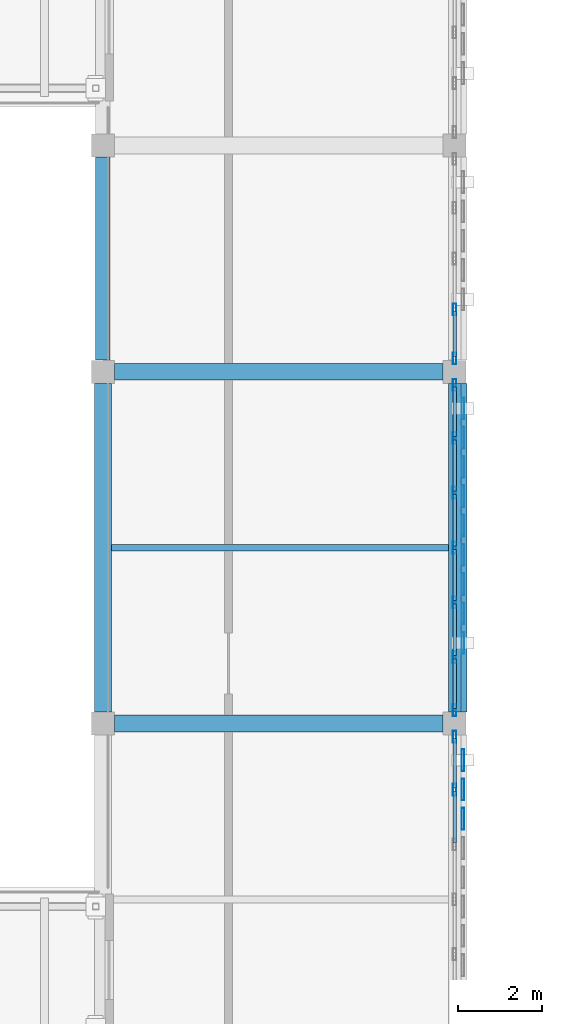
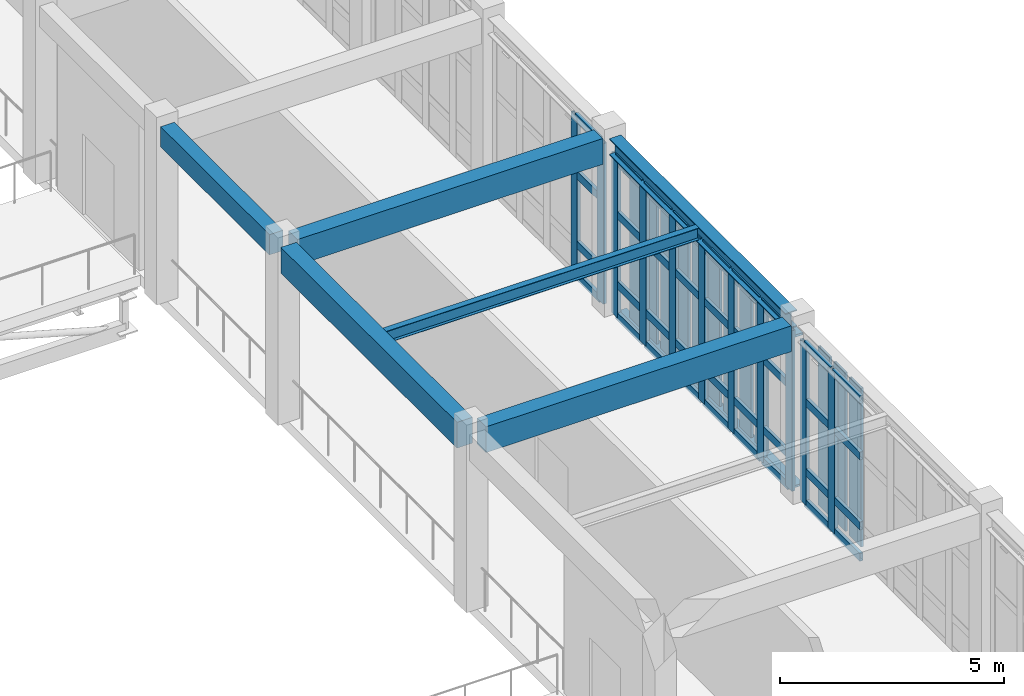
# One storey, part 34 of 93: 61 members, 6 beams, 3 elements without a shape of their own.
"""IFC4 building model written with IfcOpenShell, lengths in metres."""

from ifc_helpers import new_model, si_unit, direction, frame, origin, origin_2d, place, context, subcontext, project, spatial, rectangle, hollow_rectangle, i_section, extrude, material, layer, layer_set, material_profile, profile_set, type_object, element, aggregate, save


model = new_model("IFC4")

# Units and contexts
model_context = context("Model", 3, precision=1e-05, world=origin(), true_north=direction((0.0, 1.0)))
body_context = subcontext(model_context, "Body", "Model", "MODEL_VIEW")
ifc_project = project(units=[si_unit("LENGTHUNIT", "METRE"), si_unit("AREAUNIT", "SQUARE_METRE"), si_unit("VOLUMEUNIT", "CUBIC_METRE"), si_unit("PLANEANGLEUNIT", "RADIAN"), si_unit("MASSUNIT", "GRAM", prefix="KILO")], contexts=[model_context])

# Site, building, storey
site_placement = place(None, origin())
site = spatial("IfcSite", under=ifc_project, at=site_placement, CompositionType="ELEMENT")
building_placement = place(site_placement, origin())
building = spatial("IfcBuilding", under=site, at=building_placement, Name="Krzemoval Escarpment Law Courts", CompositionType="ELEMENT")
storey_placement = place(building_placement, frame((0.0, 0.0, 10.199951171875)))
storey = spatial("IfcBuildingStorey", under=building, at=storey_placement, Name="L02", CompositionType="ELEMENT", Elevation=10.199951171875)

# Beams
ifc_material_1 = material(Name="Concrete C40/50", Category="concrete")
ifc_material_profile_1 = material_profile(ifc_material_1, rectangle(XDim=0.35009765625, YDim=0.550048828125, at=origin_2d()), Name="RCB 350x550")
ifc_profile_set_1 = profile_set([ifc_material_profile_1], Name="Concrete C40/50")
beam_type_1 = type_object("IfcBeamType", Name="BM-RC-350x550", PredefinedType="BEAM", material=ifc_profile_set_1)
beam_1_placement = place(storey_placement, frame((33.60009765625, 74.675048828125, 4.545166015625), z_axis=(0.0, 1.0, 0.0), x_axis=(-1.0, 0.0, 0.0)))
element("IfcBeam", 1, at=beam_1_placement, inside=storey, type_object=beam_type_1, Name="Beam FG-L02-1899", PredefinedType="BEAM", context=body_context, shape_type="SweptSolid", body=[
    extrude(rectangle(XDim=0.35009765625, YDim=0.550048828125, at=origin_2d()), origin(), (0.0, 0.0, 1.0), 4.849853515625),
])
ifc_material_2 = material(Name="Concrete C40/50", Category="concrete")
ifc_material_profile_2 = material_profile(ifc_material_2, rectangle(XDim=0.39990234375, YDim=0.699951171875, at=origin_2d()), Name="RCB 400x700")
ifc_profile_set_2 = profile_set([ifc_material_profile_2], Name="Concrete C40/50")
beam_type_2 = type_object("IfcBeamType", Name="BM-RC-400x700", PredefinedType="BEAM", material=ifc_profile_set_2)
for number, where, z_axis, x_axis, name in (
    (2, (33.875, 66.0, 4.469970703125), (1.0, 0.0, 0.0), (0.0, 1.0, 0.0), "Beam FG-L02-1795"),
    (3, (33.875, 74.39990234375, 4.469970703125), (1.0, 0.0, 0.0), (0.0, 1.0, 0.0), "Beam FG-L02-1797"),
    (4, (33.60009765625, 66.27490234375, 4.469970703125), (0.0, 1.0, 0.0), (-1.0, 0.0, 0.0), "Beam FG-L02-1898"),
):
    element("IfcBeam", number, at=place(storey_placement, frame(where, z_axis=z_axis, x_axis=x_axis)), inside=storey, type_object=beam_type_2, Name=name, PredefinedType="BEAM", context=body_context, shape_type="SweptSolid", body=[
        extrude(rectangle(XDim=0.39990234375, YDim=0.699951171875, at=origin_2d()), origin(), (0.0, 0.0, 1.0), 7.85009765625),
    ])

# Curtain wall, members
ifc_material_3 = material(Name="Aluminium 6063-T6", Category="aluminium")
ifc_layer = layer(ifc_material_3, 0.280029296875)
ifc_layer_set = layer_set([ifc_layer], Name="Aluminium 6063-T6")
curtain_wall_type = type_object("IfcCurtainWallType", Name="CW-HALL-5100", PredefinedType="USERDEFINED", material=ifc_layer_set)
curtain_wall_1_placement = place(storey_placement, origin())
curtain_wall_1 = element("IfcCurtainWall", 5, at=curtain_wall_1_placement, inside=storey, type_object=curtain_wall_type, Name="Unitised Curtain Wall FCW-L02-076", ObjectType="UNITISED_CURTAIN_WALL", PredefinedType="USERDEFINED")
ifc_material_4 = material(Name="Aluminium 6063-T6", Category="aluminium")
ifc_material_profile_3 = material_profile(ifc_material_4, hollow_rectangle(XDim=0.0849609375, YDim=0.280029296875, WallThickness=0.005615234375, at=origin_2d()), Name="ALU M85x280")
ifc_profile_set_3 = profile_set([ifc_material_profile_3], Name="Aluminium 6063-T6")
member_type_1 = type_object("IfcMemberType", Name="CWM-85x280", PredefinedType="MULLION", material=ifc_profile_set_3)
member_1_placement = place(storey_placement, frame((42.0, 75.887451171875, 0.0), z_axis=(0.0, 0.0, 1.0), x_axis=(1.0, 0.0, 0.0)))
member_1 = element("IfcMember", 6, at=member_1_placement, type_object=member_type_1, Name="FCW-L02-076 mullion 4", PredefinedType="MULLION", context=body_context, shape_type="SweptSolid", body=[
    extrude(hollow_rectangle(XDim=0.0849609375, YDim=0.280029296875, WallThickness=0.005615234375, at=origin_2d()), origin(), (0.0, 0.0, 1.0), 4.3701171875),
])
member_2_placement = place(storey_placement, frame((42.0, 74.717529296875, 0.0), z_axis=(0.0, 0.0, 1.0), x_axis=(1.0, 0.0, 0.0)))
member_2 = element("IfcMember", 7, at=member_2_placement, type_object=member_type_1, Name="FCW-L02-076 mullion 5", PredefinedType="MULLION", context=body_context, shape_type="SweptSolid", body=[
    extrude(hollow_rectangle(XDim=0.0849609375, YDim=0.280029296875, WallThickness=0.005615234375, at=origin_2d()), origin(), (0.0, 0.0, 1.0), 4.3701171875),
])

curtain_wall_2_placement = place(storey_placement, origin())
curtain_wall_2 = element("IfcCurtainWall", 8, at=curtain_wall_2_placement, inside=storey, type_object=curtain_wall_type, Name="Unitised Curtain Wall FCW-L02-077", ObjectType="UNITISED_CURTAIN_WALL", PredefinedType="USERDEFINED")
member_3_placement = place(storey_placement, frame((42.0, 74.08251953125, 0.0), z_axis=(0.0, 0.0, 1.0), x_axis=(1.0, 0.0, 0.0)))
member_3 = element("IfcMember", 9, at=member_3_placement, type_object=member_type_1, Name="FCW-L02-077 mullion 1", PredefinedType="MULLION", context=body_context, shape_type="SweptSolid", body=[
    extrude(hollow_rectangle(XDim=0.0849609375, YDim=0.280029296875, WallThickness=0.005615234375, at=origin_2d()), origin(), (0.0, 0.0, 1.0), 4.3701171875),
])
member_4_placement = place(storey_placement, frame((42.0, 72.816650390625, 0.0), z_axis=(0.0, 0.0, 1.0), x_axis=(1.0, 0.0, 0.0)))
member_4 = element("IfcMember", 10, at=member_4_placement, type_object=member_type_1, Name="FCW-L02-077 mullion 2", PredefinedType="MULLION", context=body_context, shape_type="SweptSolid", body=[
    extrude(hollow_rectangle(XDim=0.0849609375, YDim=0.280029296875, WallThickness=0.005615234375, at=origin_2d()), origin(), (0.0, 0.0, 1.0), 4.3701171875),
])
member_5_placement = place(storey_placement, frame((42.0, 71.50830078125, 0.0), z_axis=(0.0, 0.0, 1.0), x_axis=(1.0, 0.0, 0.0)))
member_5 = element("IfcMember", 11, at=member_5_placement, type_object=member_type_1, Name="FCW-L02-077 mullion 3", PredefinedType="MULLION", context=body_context, shape_type="SweptSolid", body=[
    extrude(hollow_rectangle(XDim=0.0849609375, YDim=0.280029296875, WallThickness=0.005615234375, at=origin_2d()), origin(), (0.0, 0.0, 1.0), 4.3701171875),
])
member_6_placement = place(storey_placement, frame((42.0, 70.199951171875, 0.0), z_axis=(0.0, 0.0, 1.0), x_axis=(1.0, 0.0, 0.0)))
member_6 = element("IfcMember", 12, at=member_6_placement, type_object=member_type_1, Name="FCW-L02-077 mullion 4", PredefinedType="MULLION", context=body_context, shape_type="SweptSolid", body=[
    extrude(hollow_rectangle(XDim=0.0849609375, YDim=0.280029296875, WallThickness=0.005615234375, at=origin_2d()), origin(), (0.0, 0.0, 1.0), 4.3701171875),
])
member_7_placement = place(storey_placement, frame((42.0, 68.8916015625, 0.0), z_axis=(0.0, 0.0, 1.0), x_axis=(1.0, 0.0, 0.0)))
member_7 = element("IfcMember", 13, at=member_7_placement, type_object=member_type_1, Name="FCW-L02-077 mullion 5", PredefinedType="MULLION", context=body_context, shape_type="SweptSolid", body=[
    extrude(hollow_rectangle(XDim=0.0849609375, YDim=0.280029296875, WallThickness=0.005615234375, at=origin_2d()), origin(), (0.0, 0.0, 1.0), 4.3701171875),
])
member_8_placement = place(storey_placement, frame((42.0, 67.583251953125, 0.0), z_axis=(0.0, 0.0, 1.0), x_axis=(1.0, 0.0, 0.0)))
member_8 = element("IfcMember", 14, at=member_8_placement, type_object=member_type_1, Name="FCW-L02-077 mullion 6", PredefinedType="MULLION", context=body_context, shape_type="SweptSolid", body=[
    extrude(hollow_rectangle(XDim=0.0849609375, YDim=0.280029296875, WallThickness=0.005615234375, at=origin_2d()), origin(), (0.0, 0.0, 1.0), 4.3701171875),
])
member_9_placement = place(storey_placement, frame((42.0, 66.3173828125, 0.0), z_axis=(0.0, 0.0, 1.0), x_axis=(1.0, 0.0, 0.0)))
member_9 = element("IfcMember", 15, at=member_9_placement, type_object=member_type_1, Name="FCW-L02-077 mullion 7", PredefinedType="MULLION", context=body_context, shape_type="SweptSolid", body=[
    extrude(hollow_rectangle(XDim=0.0849609375, YDim=0.280029296875, WallThickness=0.005615234375, at=origin_2d()), origin(), (0.0, 0.0, 1.0), 4.3701171875),
])

curtain_wall_3_placement = place(storey_placement, origin())
curtain_wall_3 = element("IfcCurtainWall", 16, at=curtain_wall_3_placement, inside=storey, type_object=curtain_wall_type, Name="Unitised Curtain Wall FCW-L02-078", ObjectType="UNITISED_CURTAIN_WALL", PredefinedType="USERDEFINED")
member_10_placement = place(storey_placement, frame((42.0, 65.6826171875, 0.0), z_axis=(0.0, 0.0, 1.0), x_axis=(1.0, 0.0, 0.0)))
member_10 = element("IfcMember", 17, at=member_10_placement, type_object=member_type_1, Name="FCW-L02-078 mullion 1", PredefinedType="MULLION", context=body_context, shape_type="SweptSolid", body=[
    extrude(hollow_rectangle(XDim=0.0849609375, YDim=0.280029296875, WallThickness=0.005615234375, at=origin_2d()), origin(), (0.0, 0.0, 1.0), 4.3701171875),
])
member_11_placement = place(storey_placement, frame((42.0, 64.416748046875, 0.0), z_axis=(0.0, 0.0, 1.0), x_axis=(1.0, 0.0, 0.0)))
member_11 = element("IfcMember", 18, at=member_11_placement, type_object=member_type_1, Name="FCW-L02-078 mullion 2", PredefinedType="MULLION", context=body_context, shape_type="SweptSolid", body=[
    extrude(hollow_rectangle(XDim=0.0849609375, YDim=0.280029296875, WallThickness=0.005615234375, at=origin_2d()), origin(), (0.0, 0.0, 1.0), 4.3701171875),
])

# Member
ifc_material_5 = material(Name="Aluminium 6063-T6", Category="aluminium")
ifc_material_profile_4 = material_profile(ifc_material_5, hollow_rectangle(XDim=0.0849609375, YDim=0.2099609375, WallThickness=0.005615234375, at=origin_2d()), Name="ALU T85x210")
ifc_profile_set_4 = profile_set([ifc_material_profile_4], Name="Aluminium 6063-T6")
member_type_2 = type_object("IfcMemberType", Name="CWT-85x210", PredefinedType="USERDEFINED", material=ifc_profile_set_4)
member_12_placement = place(storey_placement, frame((42.0, 75.844970703125, 0.04248046875), z_axis=(0.0, -1.0, 0.0), x_axis=(1.0, 0.0, 0.0)))
member_12 = element("IfcMember", 19, at=member_12_placement, type_object=member_type_2, Name="FCW-L02-076 transom 4.1", ObjectType="TRANSOM", PredefinedType="USERDEFINED", context=body_context, shape_type="SweptSolid", body=[
    extrude(hollow_rectangle(XDim=0.0849609375, YDim=0.2099609375, WallThickness=0.005615234375, at=origin_2d()), origin(), (0.0, 0.0, 1.0), 1.0849609375),
])

member_13_placement = place(storey_placement, frame((42.0, 75.844970703125, 0.900146484375), z_axis=(0.0, -1.0, 0.0), x_axis=(1.0, 0.0, 0.0)))
member_13 = element("IfcMember", 20, at=member_13_placement, type_object=member_type_2, Name="FCW-L02-076 transom 4.2", ObjectType="TRANSOM", PredefinedType="USERDEFINED", context=body_context, shape_type="SweptSolid", body=[
    extrude(hollow_rectangle(XDim=0.0849609375, YDim=0.2099609375, WallThickness=0.005615234375, at=origin_2d()), origin(), (0.0, 0.0, 1.0), 1.0849609375),
])

member_14_placement = place(storey_placement, frame((42.0, 75.844970703125, 2.800048828125), z_axis=(0.0, -1.0, 0.0), x_axis=(1.0, 0.0, 0.0)))
member_14 = element("IfcMember", 21, at=member_14_placement, type_object=member_type_2, Name="FCW-L02-076 transom 4.3", ObjectType="TRANSOM", PredefinedType="USERDEFINED", context=body_context, shape_type="SweptSolid", body=[
    extrude(hollow_rectangle(XDim=0.0849609375, YDim=0.2099609375, WallThickness=0.005615234375, at=origin_2d()), origin(), (0.0, 0.0, 1.0), 1.0849609375),
])

member_15_placement = place(storey_placement, frame((42.0, 75.844970703125, 4.32763671875), z_axis=(0.0, -1.0, 0.0), x_axis=(1.0, 0.0, 0.0)))
member_15 = element("IfcMember", 22, at=member_15_placement, type_object=member_type_2, Name="FCW-L02-076 transom 4.4", ObjectType="TRANSOM", PredefinedType="USERDEFINED", context=body_context, shape_type="SweptSolid", body=[
    extrude(hollow_rectangle(XDim=0.0849609375, YDim=0.2099609375, WallThickness=0.005615234375, at=origin_2d()), origin(), (0.0, 0.0, 1.0), 1.0849609375),
])

aggregate(curtain_wall_1, [member_1, member_2, member_12, member_13, member_14, member_15])

member_16_placement = place(storey_placement, frame((42.0, 74.0400390625, 0.04248046875), z_axis=(0.0, -1.0, 0.0), x_axis=(1.0, 0.0, 0.0)))
member_16 = element("IfcMember", 23, at=member_16_placement, type_object=member_type_2, Name="FCW-L02-077 transom 1.1", ObjectType="TRANSOM", PredefinedType="USERDEFINED", context=body_context, shape_type="SweptSolid", body=[
    extrude(hollow_rectangle(XDim=0.0849609375, YDim=0.2099609375, WallThickness=0.005615234375, at=origin_2d()), origin(), (0.0, 0.0, 1.0), 1.180908203125),
])

member_17_placement = place(storey_placement, frame((42.0, 74.0400390625, 0.900146484375), z_axis=(0.0, -1.0, 0.0), x_axis=(1.0, 0.0, 0.0)))
member_17 = element("IfcMember", 24, at=member_17_placement, type_object=member_type_2, Name="FCW-L02-077 transom 1.2", ObjectType="TRANSOM", PredefinedType="USERDEFINED", context=body_context, shape_type="SweptSolid", body=[
    extrude(hollow_rectangle(XDim=0.0849609375, YDim=0.2099609375, WallThickness=0.005615234375, at=origin_2d()), origin(), (0.0, 0.0, 1.0), 1.180908203125),
])

member_18_placement = place(storey_placement, frame((42.0, 74.0400390625, 2.800048828125), z_axis=(0.0, -1.0, 0.0), x_axis=(1.0, 0.0, 0.0)))
member_18 = element("IfcMember", 25, at=member_18_placement, type_object=member_type_2, Name="FCW-L02-077 transom 1.3", ObjectType="TRANSOM", PredefinedType="USERDEFINED", context=body_context, shape_type="SweptSolid", body=[
    extrude(hollow_rectangle(XDim=0.0849609375, YDim=0.2099609375, WallThickness=0.005615234375, at=origin_2d()), origin(), (0.0, 0.0, 1.0), 1.180908203125),
])

member_19_placement = place(storey_placement, frame((42.0, 74.0400390625, 4.32763671875), z_axis=(0.0, -1.0, 0.0), x_axis=(1.0, 0.0, 0.0)))
member_19 = element("IfcMember", 26, at=member_19_placement, type_object=member_type_2, Name="FCW-L02-077 transom 1.4", ObjectType="TRANSOM", PredefinedType="USERDEFINED", context=body_context, shape_type="SweptSolid", body=[
    extrude(hollow_rectangle(XDim=0.0849609375, YDim=0.2099609375, WallThickness=0.005615234375, at=origin_2d()), origin(), (0.0, 0.0, 1.0), 1.180908203125),
])

member_20_placement = place(storey_placement, frame((42.0, 72.774169921875, 0.04248046875), z_axis=(0.0, -1.0, 0.0), x_axis=(1.0, 0.0, 0.0)))
member_20 = element("IfcMember", 27, at=member_20_placement, type_object=member_type_2, Name="FCW-L02-077 transom 2.1", ObjectType="TRANSOM", PredefinedType="USERDEFINED", context=body_context, shape_type="SweptSolid", body=[
    extrude(hollow_rectangle(XDim=0.0849609375, YDim=0.2099609375, WallThickness=0.005615234375, at=origin_2d()), origin(), (0.0, 0.0, 1.0), 1.223388671875),
])

member_21_placement = place(storey_placement, frame((42.0, 72.774169921875, 0.900146484375), z_axis=(0.0, -1.0, 0.0), x_axis=(1.0, 0.0, 0.0)))
member_21 = element("IfcMember", 28, at=member_21_placement, type_object=member_type_2, Name="FCW-L02-077 transom 2.2", ObjectType="TRANSOM", PredefinedType="USERDEFINED", context=body_context, shape_type="SweptSolid", body=[
    extrude(hollow_rectangle(XDim=0.0849609375, YDim=0.2099609375, WallThickness=0.005615234375, at=origin_2d()), origin(), (0.0, 0.0, 1.0), 1.223388671875),
])

member_22_placement = place(storey_placement, frame((42.0, 72.774169921875, 2.800048828125), z_axis=(0.0, -1.0, 0.0), x_axis=(1.0, 0.0, 0.0)))
member_22 = element("IfcMember", 29, at=member_22_placement, type_object=member_type_2, Name="FCW-L02-077 transom 2.3", ObjectType="TRANSOM", PredefinedType="USERDEFINED", context=body_context, shape_type="SweptSolid", body=[
    extrude(hollow_rectangle(XDim=0.0849609375, YDim=0.2099609375, WallThickness=0.005615234375, at=origin_2d()), origin(), (0.0, 0.0, 1.0), 1.223388671875),
])

member_23_placement = place(storey_placement, frame((42.0, 72.774169921875, 4.32763671875), z_axis=(0.0, -1.0, 0.0), x_axis=(1.0, 0.0, 0.0)))
member_23 = element("IfcMember", 30, at=member_23_placement, type_object=member_type_2, Name="FCW-L02-077 transom 2.4", ObjectType="TRANSOM", PredefinedType="USERDEFINED", context=body_context, shape_type="SweptSolid", body=[
    extrude(hollow_rectangle(XDim=0.0849609375, YDim=0.2099609375, WallThickness=0.005615234375, at=origin_2d()), origin(), (0.0, 0.0, 1.0), 1.223388671875),
])

member_24_placement = place(storey_placement, frame((42.0, 71.4658203125, 0.04248046875), z_axis=(0.0, -1.0, 0.0), x_axis=(1.0, 0.0, 0.0)))
member_24 = element("IfcMember", 31, at=member_24_placement, type_object=member_type_2, Name="FCW-L02-077 transom 3.1", ObjectType="TRANSOM", PredefinedType="USERDEFINED", context=body_context, shape_type="SweptSolid", body=[
    extrude(hollow_rectangle(XDim=0.0849609375, YDim=0.2099609375, WallThickness=0.005615234375, at=origin_2d()), origin(), (0.0, 0.0, 1.0), 1.223388671875),
])

member_25_placement = place(storey_placement, frame((42.0, 71.4658203125, 0.900146484375), z_axis=(0.0, -1.0, 0.0), x_axis=(1.0, 0.0, 0.0)))
member_25 = element("IfcMember", 32, at=member_25_placement, type_object=member_type_2, Name="FCW-L02-077 transom 3.2", ObjectType="TRANSOM", PredefinedType="USERDEFINED", context=body_context, shape_type="SweptSolid", body=[
    extrude(hollow_rectangle(XDim=0.0849609375, YDim=0.2099609375, WallThickness=0.005615234375, at=origin_2d()), origin(), (0.0, 0.0, 1.0), 1.223388671875),
])

member_26_placement = place(storey_placement, frame((42.0, 71.4658203125, 2.800048828125), z_axis=(0.0, -1.0, 0.0), x_axis=(1.0, 0.0, 0.0)))
member_26 = element("IfcMember", 33, at=member_26_placement, type_object=member_type_2, Name="FCW-L02-077 transom 3.3", ObjectType="TRANSOM", PredefinedType="USERDEFINED", context=body_context, shape_type="SweptSolid", body=[
    extrude(hollow_rectangle(XDim=0.0849609375, YDim=0.2099609375, WallThickness=0.005615234375, at=origin_2d()), origin(), (0.0, 0.0, 1.0), 1.223388671875),
])

member_27_placement = place(storey_placement, frame((42.0, 71.4658203125, 4.32763671875), z_axis=(0.0, -1.0, 0.0), x_axis=(1.0, 0.0, 0.0)))
member_27 = element("IfcMember", 34, at=member_27_placement, type_object=member_type_2, Name="FCW-L02-077 transom 3.4", ObjectType="TRANSOM", PredefinedType="USERDEFINED", context=body_context, shape_type="SweptSolid", body=[
    extrude(hollow_rectangle(XDim=0.0849609375, YDim=0.2099609375, WallThickness=0.005615234375, at=origin_2d()), origin(), (0.0, 0.0, 1.0), 1.223388671875),
])

member_28_placement = place(storey_placement, frame((42.0, 70.157470703125, 0.04248046875), z_axis=(0.0, -1.0, 0.0), x_axis=(1.0, 0.0, 0.0)))
member_28 = element("IfcMember", 35, at=member_28_placement, type_object=member_type_2, Name="FCW-L02-077 transom 4.1", ObjectType="TRANSOM", PredefinedType="USERDEFINED", context=body_context, shape_type="SweptSolid", body=[
    extrude(hollow_rectangle(XDim=0.0849609375, YDim=0.2099609375, WallThickness=0.005615234375, at=origin_2d()), origin(), (0.0, 0.0, 1.0), 1.223388671875),
])

member_29_placement = place(storey_placement, frame((42.0, 70.157470703125, 0.900146484375), z_axis=(0.0, -1.0, 0.0), x_axis=(1.0, 0.0, 0.0)))
member_29 = element("IfcMember", 36, at=member_29_placement, type_object=member_type_2, Name="FCW-L02-077 transom 4.2", ObjectType="TRANSOM", PredefinedType="USERDEFINED", context=body_context, shape_type="SweptSolid", body=[
    extrude(hollow_rectangle(XDim=0.0849609375, YDim=0.2099609375, WallThickness=0.005615234375, at=origin_2d()), origin(), (0.0, 0.0, 1.0), 1.223388671875),
])

member_30_placement = place(storey_placement, frame((42.0, 70.157470703125, 2.800048828125), z_axis=(0.0, -1.0, 0.0), x_axis=(1.0, 0.0, 0.0)))
member_30 = element("IfcMember", 37, at=member_30_placement, type_object=member_type_2, Name="FCW-L02-077 transom 4.3", ObjectType="TRANSOM", PredefinedType="USERDEFINED", context=body_context, shape_type="SweptSolid", body=[
    extrude(hollow_rectangle(XDim=0.0849609375, YDim=0.2099609375, WallThickness=0.005615234375, at=origin_2d()), origin(), (0.0, 0.0, 1.0), 1.223388671875),
])

member_31_placement = place(storey_placement, frame((42.0, 70.157470703125, 4.32763671875), z_axis=(0.0, -1.0, 0.0), x_axis=(1.0, 0.0, 0.0)))
member_31 = element("IfcMember", 38, at=member_31_placement, type_object=member_type_2, Name="FCW-L02-077 transom 4.4", ObjectType="TRANSOM", PredefinedType="USERDEFINED", context=body_context, shape_type="SweptSolid", body=[
    extrude(hollow_rectangle(XDim=0.0849609375, YDim=0.2099609375, WallThickness=0.005615234375, at=origin_2d()), origin(), (0.0, 0.0, 1.0), 1.223388671875),
])

member_32_placement = place(storey_placement, frame((42.0, 68.84912109375, 0.04248046875), z_axis=(0.0, -1.0, 0.0), x_axis=(1.0, 0.0, 0.0)))
member_32 = element("IfcMember", 39, at=member_32_placement, type_object=member_type_2, Name="FCW-L02-077 transom 5.1", ObjectType="TRANSOM", PredefinedType="USERDEFINED", context=body_context, shape_type="SweptSolid", body=[
    extrude(hollow_rectangle(XDim=0.0849609375, YDim=0.2099609375, WallThickness=0.005615234375, at=origin_2d()), origin(), (0.0, 0.0, 1.0), 1.223388671875),
])

member_33_placement = place(storey_placement, frame((42.0, 68.84912109375, 0.900146484375), z_axis=(0.0, -1.0, 0.0), x_axis=(1.0, 0.0, 0.0)))
member_33 = element("IfcMember", 40, at=member_33_placement, type_object=member_type_2, Name="FCW-L02-077 transom 5.2", ObjectType="TRANSOM", PredefinedType="USERDEFINED", context=body_context, shape_type="SweptSolid", body=[
    extrude(hollow_rectangle(XDim=0.0849609375, YDim=0.2099609375, WallThickness=0.005615234375, at=origin_2d()), origin(), (0.0, 0.0, 1.0), 1.223388671875),
])

member_34_placement = place(storey_placement, frame((42.0, 68.84912109375, 2.800048828125), z_axis=(0.0, -1.0, 0.0), x_axis=(1.0, 0.0, 0.0)))
member_34 = element("IfcMember", 41, at=member_34_placement, type_object=member_type_2, Name="FCW-L02-077 transom 5.3", ObjectType="TRANSOM", PredefinedType="USERDEFINED", context=body_context, shape_type="SweptSolid", body=[
    extrude(hollow_rectangle(XDim=0.0849609375, YDim=0.2099609375, WallThickness=0.005615234375, at=origin_2d()), origin(), (0.0, 0.0, 1.0), 1.223388671875),
])

member_35_placement = place(storey_placement, frame((42.0, 68.84912109375, 4.32763671875), z_axis=(0.0, -1.0, 0.0), x_axis=(1.0, 0.0, 0.0)))
member_35 = element("IfcMember", 42, at=member_35_placement, type_object=member_type_2, Name="FCW-L02-077 transom 5.4", ObjectType="TRANSOM", PredefinedType="USERDEFINED", context=body_context, shape_type="SweptSolid", body=[
    extrude(hollow_rectangle(XDim=0.0849609375, YDim=0.2099609375, WallThickness=0.005615234375, at=origin_2d()), origin(), (0.0, 0.0, 1.0), 1.223388671875),
])

member_36_placement = place(storey_placement, frame((42.0, 67.540771484375, 0.04248046875), z_axis=(0.0, -1.0, 0.0), x_axis=(1.0, 0.0, 0.0)))
member_36 = element("IfcMember", 43, at=member_36_placement, type_object=member_type_2, Name="FCW-L02-077 transom 6.1", ObjectType="TRANSOM", PredefinedType="USERDEFINED", context=body_context, shape_type="SweptSolid", body=[
    extrude(hollow_rectangle(XDim=0.0849609375, YDim=0.2099609375, WallThickness=0.005615234375, at=origin_2d()), origin(), (0.0, 0.0, 1.0), 1.1806640625),
])

member_37_placement = place(storey_placement, frame((42.0, 67.540771484375, 0.900146484375), z_axis=(0.0, -1.0, 0.0), x_axis=(1.0, 0.0, 0.0)))
member_37 = element("IfcMember", 44, at=member_37_placement, type_object=member_type_2, Name="FCW-L02-077 transom 6.2", ObjectType="TRANSOM", PredefinedType="USERDEFINED", context=body_context, shape_type="SweptSolid", body=[
    extrude(hollow_rectangle(XDim=0.0849609375, YDim=0.2099609375, WallThickness=0.005615234375, at=origin_2d()), origin(), (0.0, 0.0, 1.0), 1.1806640625),
])

member_38_placement = place(storey_placement, frame((42.0, 67.540771484375, 2.800048828125), z_axis=(0.0, -1.0, 0.0), x_axis=(1.0, 0.0, 0.0)))
member_38 = element("IfcMember", 45, at=member_38_placement, type_object=member_type_2, Name="FCW-L02-077 transom 6.3", ObjectType="TRANSOM", PredefinedType="USERDEFINED", context=body_context, shape_type="SweptSolid", body=[
    extrude(hollow_rectangle(XDim=0.0849609375, YDim=0.2099609375, WallThickness=0.005615234375, at=origin_2d()), origin(), (0.0, 0.0, 1.0), 1.1806640625),
])

member_39_placement = place(storey_placement, frame((42.0, 67.540771484375, 4.32763671875), z_axis=(0.0, -1.0, 0.0), x_axis=(1.0, 0.0, 0.0)))
member_39 = element("IfcMember", 46, at=member_39_placement, type_object=member_type_2, Name="FCW-L02-077 transom 6.4", ObjectType="TRANSOM", PredefinedType="USERDEFINED", context=body_context, shape_type="SweptSolid", body=[
    extrude(hollow_rectangle(XDim=0.0849609375, YDim=0.2099609375, WallThickness=0.005615234375, at=origin_2d()), origin(), (0.0, 0.0, 1.0), 1.1806640625),
])

aggregate(curtain_wall_2, [member_3, member_4, member_5, member_6, member_7, member_8, member_9, member_16, member_17, member_18, member_19, member_20, member_21, member_22, member_23, member_24, member_25, member_26, member_27, member_28, member_29, member_30, member_31, member_32, member_33, member_34, member_35, member_36, member_37, member_38, member_39])

member_40_placement = place(storey_placement, frame((42.0, 65.639892578125, 0.04248046875), z_axis=(0.0, -1.0, 0.0), x_axis=(1.0, 0.0, 0.0)))
member_40 = element("IfcMember", 47, at=member_40_placement, type_object=member_type_2, Name="FCW-L02-078 transom 1.1", ObjectType="TRANSOM", PredefinedType="USERDEFINED", context=body_context, shape_type="SweptSolid", body=[
    extrude(hollow_rectangle(XDim=0.0849609375, YDim=0.2099609375, WallThickness=0.005615234375, at=origin_2d()), origin(), (0.0, 0.0, 1.0), 1.1806640625),
])

member_41_placement = place(storey_placement, frame((42.0, 65.639892578125, 0.900146484375), z_axis=(0.0, -1.0, 0.0), x_axis=(1.0, 0.0, 0.0)))
member_41 = element("IfcMember", 48, at=member_41_placement, type_object=member_type_2, Name="FCW-L02-078 transom 1.2", ObjectType="TRANSOM", PredefinedType="USERDEFINED", context=body_context, shape_type="SweptSolid", body=[
    extrude(hollow_rectangle(XDim=0.0849609375, YDim=0.2099609375, WallThickness=0.005615234375, at=origin_2d()), origin(), (0.0, 0.0, 1.0), 1.1806640625),
])

member_42_placement = place(storey_placement, frame((42.0, 65.639892578125, 2.800048828125), z_axis=(0.0, -1.0, 0.0), x_axis=(1.0, 0.0, 0.0)))
member_42 = element("IfcMember", 49, at=member_42_placement, type_object=member_type_2, Name="FCW-L02-078 transom 1.3", ObjectType="TRANSOM", PredefinedType="USERDEFINED", context=body_context, shape_type="SweptSolid", body=[
    extrude(hollow_rectangle(XDim=0.0849609375, YDim=0.2099609375, WallThickness=0.005615234375, at=origin_2d()), origin(), (0.0, 0.0, 1.0), 1.1806640625),
])

member_43_placement = place(storey_placement, frame((42.0, 65.639892578125, 4.32763671875), z_axis=(0.0, -1.0, 0.0), x_axis=(1.0, 0.0, 0.0)))
member_43 = element("IfcMember", 50, at=member_43_placement, type_object=member_type_2, Name="FCW-L02-078 transom 1.4", ObjectType="TRANSOM", PredefinedType="USERDEFINED", context=body_context, shape_type="SweptSolid", body=[
    extrude(hollow_rectangle(XDim=0.0849609375, YDim=0.2099609375, WallThickness=0.005615234375, at=origin_2d()), origin(), (0.0, 0.0, 1.0), 1.1806640625),
])

member_44_placement = place(storey_placement, frame((42.0, 64.374267578125, 0.04248046875), z_axis=(0.0, -1.0, 0.0), x_axis=(1.0, 0.0, 0.0)))
member_44 = element("IfcMember", 51, at=member_44_placement, type_object=member_type_2, Name="FCW-L02-078 transom 2.1", ObjectType="TRANSOM", PredefinedType="USERDEFINED", context=body_context, shape_type="SweptSolid", body=[
    extrude(hollow_rectangle(XDim=0.0849609375, YDim=0.2099609375, WallThickness=0.005615234375, at=origin_2d()), origin(), (0.0, 0.0, 1.0), 1.223388671875),
])

member_45_placement = place(storey_placement, frame((42.0, 64.374267578125, 0.900146484375), z_axis=(0.0, -1.0, 0.0), x_axis=(1.0, 0.0, 0.0)))
member_45 = element("IfcMember", 52, at=member_45_placement, type_object=member_type_2, Name="FCW-L02-078 transom 2.2", ObjectType="TRANSOM", PredefinedType="USERDEFINED", context=body_context, shape_type="SweptSolid", body=[
    extrude(hollow_rectangle(XDim=0.0849609375, YDim=0.2099609375, WallThickness=0.005615234375, at=origin_2d()), origin(), (0.0, 0.0, 1.0), 1.223388671875),
])

member_46_placement = place(storey_placement, frame((42.0, 64.374267578125, 2.800048828125), z_axis=(0.0, -1.0, 0.0), x_axis=(1.0, 0.0, 0.0)))
member_46 = element("IfcMember", 53, at=member_46_placement, type_object=member_type_2, Name="FCW-L02-078 transom 2.3", ObjectType="TRANSOM", PredefinedType="USERDEFINED", context=body_context, shape_type="SweptSolid", body=[
    extrude(hollow_rectangle(XDim=0.0849609375, YDim=0.2099609375, WallThickness=0.005615234375, at=origin_2d()), origin(), (0.0, 0.0, 1.0), 1.223388671875),
])

member_47_placement = place(storey_placement, frame((42.0, 64.374267578125, 4.32763671875), z_axis=(0.0, -1.0, 0.0), x_axis=(1.0, 0.0, 0.0)))
member_47 = element("IfcMember", 54, at=member_47_placement, type_object=member_type_2, Name="FCW-L02-078 transom 2.4", ObjectType="TRANSOM", PredefinedType="USERDEFINED", context=body_context, shape_type="SweptSolid", body=[
    extrude(hollow_rectangle(XDim=0.0849609375, YDim=0.2099609375, WallThickness=0.005615234375, at=origin_2d()), origin(), (0.0, 0.0, 1.0), 1.223388671875),
])

aggregate(curtain_wall_3, [member_10, member_11, member_40, member_41, member_42, member_43, member_44, member_45, member_46, member_47])

# Beam
ifc_material_6 = material(Name="Steel S355", Category="steel")
ifc_material_profile_5 = material_profile(ifc_material_6, i_section(OverallWidth=0.159912109375, OverallDepth=0.330078125, WebThickness=0.007568359375, FlangeThickness=0.011474609375, at=origin_2d()), Name="IPE 330")
ifc_profile_set_5 = profile_set([ifc_material_profile_5], Name="Steel S355")
beam_type_3 = type_object("IfcBeamType", Name="JST-S355-IPE330", PredefinedType="JOIST", material=ifc_profile_set_5)
beam_2_placement = place(storey_placement, frame((33.800048828125, 70.199951171875, 4.655029296875), z_axis=(1.0, 0.0, 0.0), x_axis=(0.0, 1.0, 0.0)))
element("IfcBeam", 55, at=beam_2_placement, inside=storey, type_object=beam_type_3, Name="Secondary Joist FJ-L02-2028", PredefinedType="JOIST", context=body_context, shape_type="SweptSolid", body=[
    extrude(i_section(OverallWidth=0.159912109375, OverallDepth=0.330078125, WebThickness=0.007568359375, FlangeThickness=0.011474609375, at=origin_2d()), origin(), (0.0, 0.0, 1.0), 8.050048828125),
])

# Members
ifc_material_7 = material(Name="Anodised Aluminium Alloy 6063-T6", Category="aluminium")
ifc_material_profile_6 = material_profile(ifc_material_7, hollow_rectangle(XDim=0.06005859375, YDim=0.320068359375, WallThickness=0.00390625, at=origin_2d()), Name="ALU LVR 60x320")
ifc_profile_set_6 = profile_set([ifc_material_profile_6], Name="Anodised Aluminium Alloy 6063-T6")
member_type_3 = type_object("IfcMemberType", Name="LVR-ALU-320", PredefinedType="USERDEFINED", material=ifc_profile_set_6)
for number, where, z_axis, x_axis, name in (
    (56, (42.139892578125, 74.125, 0.030029296875), (0.0, -1.0, 0.0), (0.0, 0.0, 1.0), "Sunshade Support Rail FSR-L02-0485"),
    (57, (42.139892578125, 74.125, 4.1201171875), (0.0, -1.0, 0.0), (0.0, 0.0, 1.0), "Sunshade Support Rail FSR-L02-0486"),
):
    element("IfcMember", number, at=place(storey_placement, frame(where, z_axis=z_axis, x_axis=x_axis)), inside=storey, type_object=member_type_3, Name=name, ObjectType="SUNSHADE_LOUVRE", PredefinedType="USERDEFINED", context=body_context, shape_type="SweptSolid", body=[
        extrude(hollow_rectangle(XDim=0.06005859375, YDim=0.320068359375, WallThickness=0.00390625, at=origin_2d()), origin(), (0.0, 0.0, 1.0), 7.85009765625),
    ])
ifc_material_8 = material(Name="Anodised Aluminium Alloy 6063-T6", Category="aluminium")
ifc_material_profile_7 = material_profile(ifc_material_8, hollow_rectangle(XDim=0.06494140625, YDim=0.52001953125, WallThickness=0.00439453125, at=origin_2d()), Name="ALU LVR 65x520")
ifc_profile_set_7 = profile_set([ifc_material_profile_7], Name="Anodised Aluminium Alloy 6063-T6")
member_type_4 = type_object("IfcMemberType", Name="LVR-ALU-520", PredefinedType="USERDEFINED", material=ifc_profile_set_7)
for number, where, z_axis, x_axis, name in (
    (58, (42.199951171875, 73.52490234375, 0.06005859375), (0.0, 0.0, 1.0), (1.0, 0.0, 0.0), "Sunshade Louvre Fin FLV-L02-0487"),
    (59, (42.199951171875, 72.824951171875, 0.06005859375), (0.0, 0.0, 1.0), (1.0, 0.0, 0.0), "Sunshade Louvre Fin FLV-L02-0488"),
    (60, (42.199951171875, 72.125, 0.06005859375), (0.0, 0.0, 1.0), (1.0, 0.0, 0.0), "Sunshade Louvre Fin FLV-L02-0489"),
    (61, (42.199951171875, 71.425048828125, 0.06005859375), (0.0, 0.0, 1.0), (1.0, 0.0, 0.0), "Sunshade Louvre Fin FLV-L02-0490"),
    (62, (42.199951171875, 70.72509765625, 0.06005859375), (0.0, 0.0, 1.0), (1.0, 0.0, 0.0), "Sunshade Louvre Fin FLV-L02-0491"),
    (63, (42.199951171875, 70.02490234375, 0.06005859375), (0.0, 0.0, 1.0), (1.0, 0.0, 0.0), "Sunshade Louvre Fin FLV-L02-0492"),
    (64, (42.199951171875, 69.324951171875, 0.06005859375), (0.0, 0.0, 1.0), (1.0, 0.0, 0.0), "Sunshade Louvre Fin FLV-L02-0493"),
    (65, (42.199951171875, 68.625, 0.06005859375), (0.0, 0.0, 1.0), (1.0, 0.0, 0.0), "Sunshade Louvre Fin FLV-L02-0494"),
    (66, (42.199951171875, 67.925048828125, 0.06005859375), (0.0, 0.0, 1.0), (1.0, 0.0, 0.0), "Sunshade Louvre Fin FLV-L02-0495"),
    (67, (42.199951171875, 65.125, 0.06005859375), (0.0, 0.0, 1.0), (1.0, 0.0, 0.0), "Sunshade Louvre Fin FLV-L02-0498"),
    (68, (42.199951171875, 64.425048828125, 0.06005859375), (0.0, 0.0, 1.0), (1.0, 0.0, 0.0), "Sunshade Louvre Fin FLV-L02-0499"),
    (69, (42.199951171875, 63.72509765625, 0.06005859375), (0.0, 0.0, 1.0), (1.0, 0.0, 0.0), "Sunshade Louvre Fin FLV-L02-0500"),
):
    element("IfcMember", number, at=place(storey_placement, frame(where, z_axis=z_axis, x_axis=x_axis)), inside=storey, type_object=member_type_4, Name=name, ObjectType="SUNSHADE_LOUVRE", PredefinedType="USERDEFINED", context=body_context, shape_type="SweptSolid", body=[
        extrude(hollow_rectangle(XDim=0.06494140625, YDim=0.52001953125, WallThickness=0.00439453125, at=origin_2d()), origin(), (0.0, 0.0, 1.0), 4.31005859375),
    ])

# Beam
ifc_material_9 = material(Name="Steel S355", Category="steel")
ifc_material_profile_8 = material_profile(ifc_material_9, i_section(OverallWidth=0.300048828125, OverallDepth=0.449951171875, WebThickness=0.013916015625, FlangeThickness=0.02587890625, at=origin_2d()), Name="HEB 450")
ifc_profile_set_8 = profile_set([ifc_material_profile_8], Name="Steel S355")
beam_type_4 = type_object("IfcBeamType", Name="SPN-S355-HEB450", PredefinedType="SPANDREL", material=ifc_profile_set_8)
beam_3_placement = place(storey_placement, frame((42.0, 66.27490234375, 4.594970703125), z_axis=(0.0, 1.0, 0.0), x_axis=(-1.0, 0.0, 0.0)))
element("IfcBeam", 70, at=beam_3_placement, inside=storey, type_object=beam_type_4, Name="Beam FG-L02-1913", PredefinedType="SPANDREL", context=body_context, shape_type="SweptSolid", body=[
    extrude(i_section(OverallWidth=0.300048828125, OverallDepth=0.449951171875, WebThickness=0.013916015625, FlangeThickness=0.02587890625, at=origin_2d()), origin(), (0.0, 0.0, 1.0), 7.85009765625),
])

save(model, "model.ifc")
